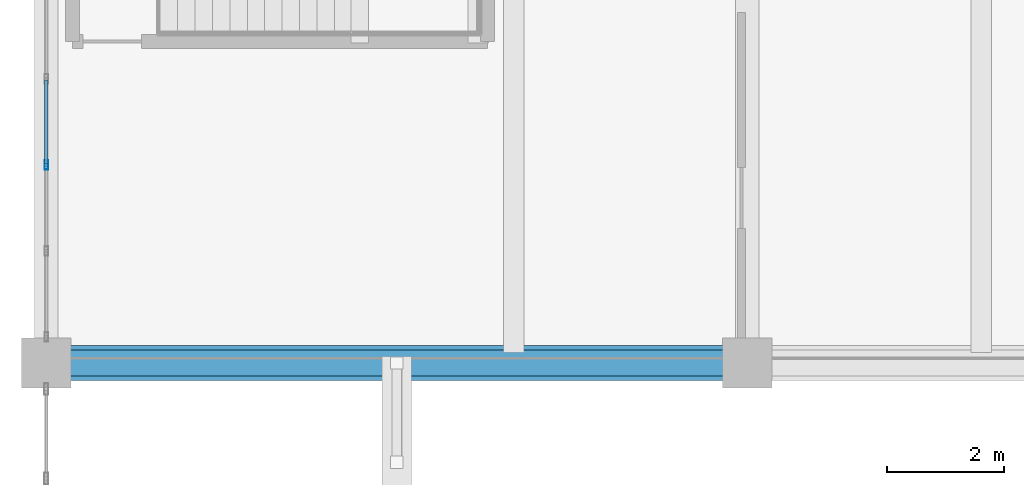
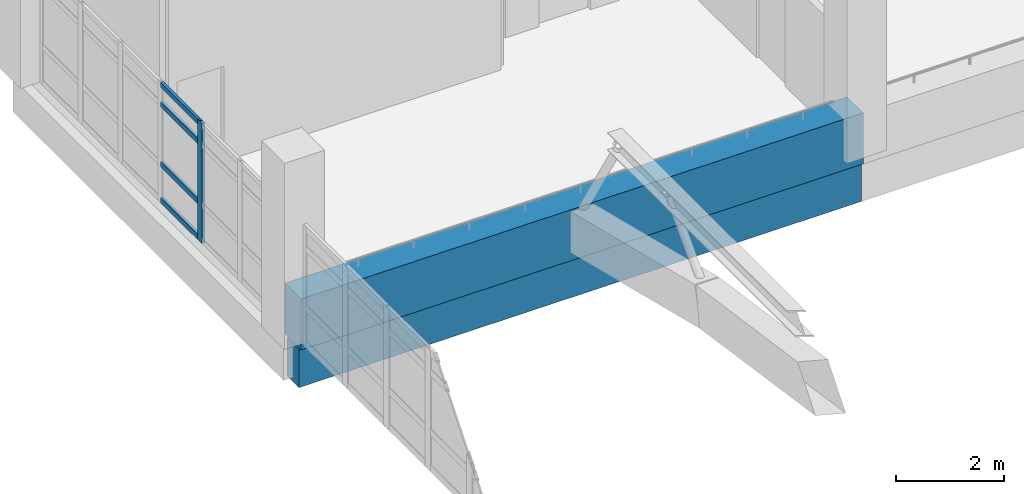
# One storey, part 26 of 161: 5 members, 2 beams, 1 element without a shape of its own.
"""IFC4 building model written with IfcOpenShell, lengths in metres."""

from ifc_helpers import new_model, si_unit, direction, frame, origin, origin_2d, place, context, subcontext, project, spatial, rectangle, hollow_rectangle, extrude, material, layer, layer_set, material_profile, profile_set, type_object, element, aggregate, save


model = new_model("IFC4")

# Units and contexts
model_context = context("Model", 3, precision=1e-05, world=origin(), true_north=direction((0.0, 1.0)))
body_context = subcontext(model_context, "Body", "Model", "MODEL_VIEW")
ifc_project = project(units=[si_unit("LENGTHUNIT", "METRE"), si_unit("AREAUNIT", "SQUARE_METRE"), si_unit("VOLUMEUNIT", "CUBIC_METRE"), si_unit("PLANEANGLEUNIT", "RADIAN"), si_unit("MASSUNIT", "GRAM", prefix="KILO")], contexts=[model_context])

# Site, building, storey
site_placement = place(None, origin())
site = spatial("IfcSite", under=ifc_project, at=site_placement, CompositionType="ELEMENT")
building_placement = place(site_placement, origin())
building = spatial("IfcBuilding", under=site, at=building_placement, Name="Mersad Railyard Sports Hall", CompositionType="ELEMENT")
storey_placement = place(building_placement, frame((0.0, 0.0, 4.800048828125)))
storey = spatial("IfcBuildingStorey", under=building, at=storey_placement, Name="L01", CompositionType="ELEMENT", Elevation=4.800048828125)

# Curtain wall, members
ifc_material_1 = material(Name="Aluminium 6063-T6", Category="aluminium")
ifc_layer = layer(ifc_material_1, 0.159912109375)
ifc_layer_set = layer_set([ifc_layer], Name="Aluminium 6063-T6")
curtain_wall_type = type_object("IfcCurtainWallType", Name="ARC-CW-CW03", PredefinedType="USERDEFINED", material=ifc_layer_set)
curtain_wall_placement = place(storey_placement, origin())
curtain_wall = element("IfcCurtainWall", 1, at=curtain_wall_placement, inside=storey, type_object=curtain_wall_type, Name="Curtain wall CW03-0025", ObjectType="CURTAIN WALL", PredefinedType="USERDEFINED")
ifc_material_profile_1 = material_profile(ifc_material_1, hollow_rectangle(XDim=0.06005859375, YDim=0.159912109375, WallThickness=0.00390625, at=origin_2d()), Name="AL MULLION 60x160x4")
ifc_profile_set_1 = profile_set([ifc_material_profile_1], Name="Aluminium 6063-T6")
member_type_1 = type_object("IfcMemberType", Name="ARC-CW-MUL01", PredefinedType="MULLION", material=ifc_profile_set_1)
member_1_placement = place(storey_placement, frame((7.0, 46.889892578125, -0.02001953125), z_axis=(0.0, 0.0, 1.0), x_axis=(1.0, 0.0, 0.0)))
member_1 = element("IfcMember", 2, at=member_1_placement, type_object=member_type_1, Name="CW03 Mullion 3", PredefinedType="MULLION", context=body_context, shape_type="SweptSolid", body=[
    extrude(hollow_rectangle(XDim=0.06005859375, YDim=0.159912109375, WallThickness=0.00390625, at=origin_2d()), origin(), (0.0, 0.0, 1.0), 2.719970703125),
])
ifc_material_profile_2 = material_profile(ifc_material_1, hollow_rectangle(XDim=0.06005859375, YDim=0.1201171875, WallThickness=0.00390625, at=origin_2d()), Name="AL TRANSOM 60x120x4")
ifc_profile_set_2 = profile_set([ifc_material_profile_2], Name="Aluminium 6063-T6")
member_type_2 = type_object("IfcMemberType", Name="ARC-CW-TRN01", PredefinedType="USERDEFINED", material=ifc_profile_set_2)
member_2_placement = place(storey_placement, frame((7.0, 46.909912109375, 0.0400390625), z_axis=(0.0, 1.0, 0.0), x_axis=(-1.0, 0.0, 0.0)))
member_2 = element("IfcMember", 3, at=member_2_placement, type_object=member_type_2, Name="CW03 Transom 1-3", ObjectType="TRANSOM", PredefinedType="USERDEFINED", context=body_context, shape_type="SweptSolid", body=[
    extrude(hollow_rectangle(XDim=0.06005859375, YDim=0.1201171875, WallThickness=0.00390625, at=origin_2d()), origin(), (0.0, 0.0, 1.0), 1.4326171875),
])
member_3_placement = place(storey_placement, frame((7.0, 46.909912109375, 0.849853515625), z_axis=(0.0, 1.0, 0.0), x_axis=(-1.0, 0.0, 0.0)))
member_3 = element("IfcMember", 4, at=member_3_placement, type_object=member_type_2, Name="CW03 Transom 2-3", ObjectType="TRANSOM", PredefinedType="USERDEFINED", context=body_context, shape_type="SweptSolid", body=[
    extrude(hollow_rectangle(XDim=0.06005859375, YDim=0.1201171875, WallThickness=0.00390625, at=origin_2d()), origin(), (0.0, 0.0, 1.0), 1.4326171875),
])
member_4_placement = place(storey_placement, frame((7.0, 46.909912109375, 2.199951171875), z_axis=(0.0, 1.0, 0.0), x_axis=(-1.0, 0.0, 0.0)))
member_4 = element("IfcMember", 5, at=member_4_placement, type_object=member_type_2, Name="CW03 Transom 3-3", ObjectType="TRANSOM", PredefinedType="USERDEFINED", context=body_context, shape_type="SweptSolid", body=[
    extrude(hollow_rectangle(XDim=0.06005859375, YDim=0.1201171875, WallThickness=0.00390625, at=origin_2d()), origin(), (0.0, 0.0, 1.0), 1.4326171875),
])
member_5_placement = place(storey_placement, frame((7.0, 46.909912109375, 2.639892578125), z_axis=(0.0, 1.0, 0.0), x_axis=(-1.0, 0.0, 0.0)))
member_5 = element("IfcMember", 6, at=member_5_placement, type_object=member_type_2, Name="CW03 Transom 4-3", ObjectType="TRANSOM", PredefinedType="USERDEFINED", context=body_context, shape_type="SweptSolid", body=[
    extrude(hollow_rectangle(XDim=0.06005859375, YDim=0.1201171875, WallThickness=0.00390625, at=origin_2d()), origin(), (0.0, 0.0, 1.0), 1.4326171875),
])
aggregate(curtain_wall, [member_1, member_2, member_3, member_4, member_5])

# Beams
ifc_material_2 = material(Name="Concrete C40/50", Category="concrete")
ifc_material_profile_3 = material_profile(ifc_material_2, rectangle(XDim=0.449951171875, YDim=0.85009765625, at=origin_2d()), Name="RC 450x850")
ifc_profile_set_3 = profile_set([ifc_material_profile_3], Name="Concrete C40/50")
beam_type_1 = type_object("IfcBeamType", Name="STR-BM-B02", PredefinedType="BEAM", material=ifc_profile_set_3)
beam_1_placement = place(storey_placement, frame((7.0, 43.5, -0.705078125), z_axis=(1.0, 0.0, 0.0), x_axis=(0.0, 1.0, 0.0)))
element("IfcBeam", 7, at=beam_1_placement, inside=storey, type_object=beam_type_1, Name="Beam B02-0317", PredefinedType="BEAM", context=body_context, shape_type="SweptSolid", body=[
    extrude(rectangle(XDim=0.449951171875, YDim=0.85009765625, at=origin_2d()), origin(), (0.0, 0.0, 1.0), 12.0),
])
ifc_material_3 = material(Name="Concrete C50/60", Category="concrete")
ifc_material_profile_4 = material_profile(ifc_material_3, rectangle(XDim=0.60009765625, YDim=1.14990234375, at=origin_2d()), Name="RC 600x1150")
ifc_profile_set_4 = profile_set([ifc_material_profile_4], Name="Concrete C50/60")
beam_type_2 = type_object("IfcBeamType", Name="STR-BM-B05", PredefinedType="BEAM", material=ifc_profile_set_4)
beam_2_placement = place(storey_placement, frame((7.0, 43.5, 0.33984375), z_axis=(1.0, 0.0, 0.0), x_axis=(0.0, 1.0, 0.0)))
element("IfcBeam", 8, at=beam_2_placement, inside=storey, type_object=beam_type_2, Name="Beam B05-0505", PredefinedType="BEAM", context=body_context, shape_type="SweptSolid", body=[
    extrude(rectangle(XDim=0.60009765625, YDim=1.14990234375, at=origin_2d()), origin(), (0.0, 0.0, 1.0), 12.0),
])

save(model, "model.ifc")
